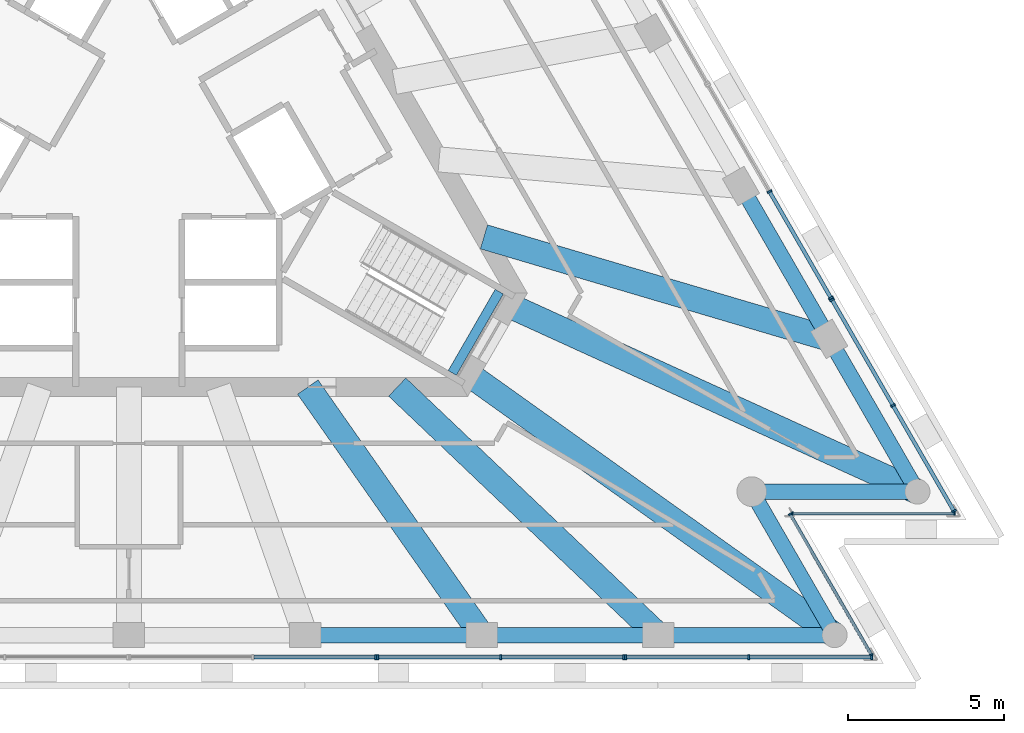
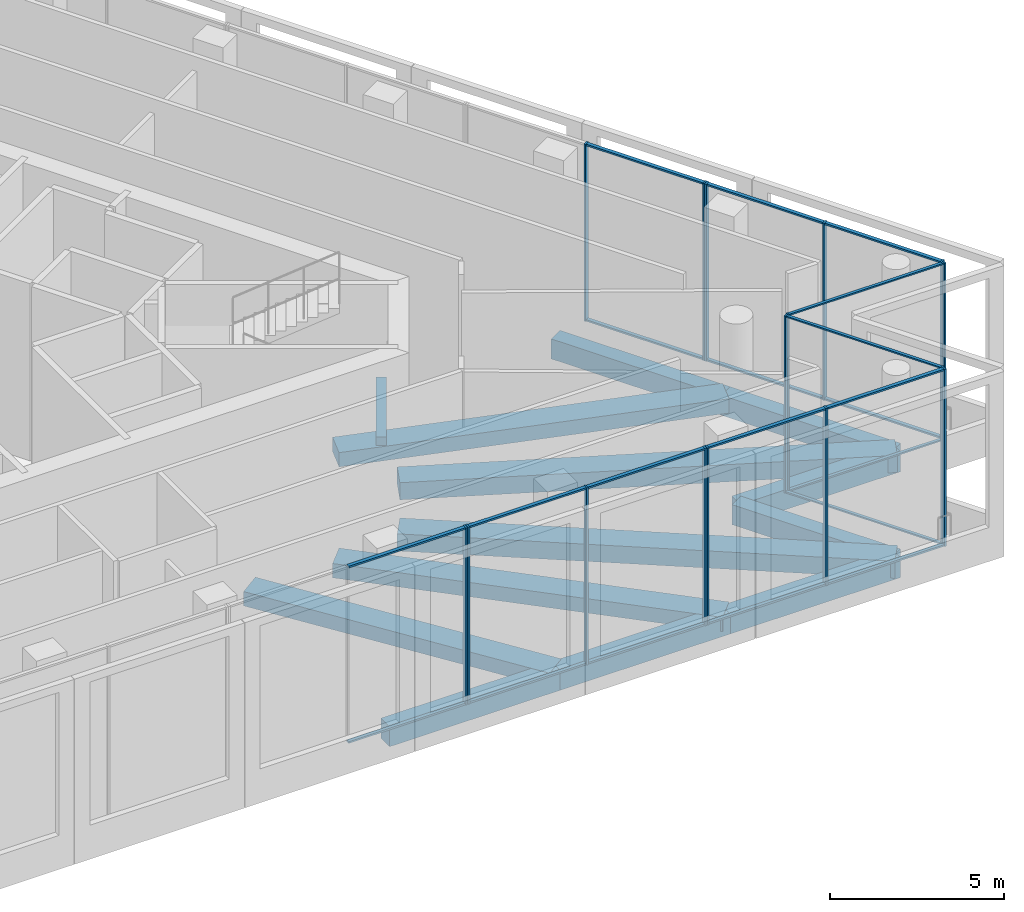
# One storey, part 5 of 16: 36 members, 13 beams, 7 elements without a shape of their own.
"""IFC4 building model written with IfcOpenShell, lengths in metres."""

from ifc_helpers import new_model, si_unit, direction, frame, origin, origin_2d, place, context, subcontext, project, spatial, rectangle, extrude, material, layer, layer_set, material_profile, profile_set, type_object, element, aggregate, save


model = new_model("IFC4")

# Units and contexts
model_context = context("Model", 3, precision=1e-05, world=origin(), true_north=direction((0.0, 1.0)))
body_context = subcontext(model_context, "Body", "Model", "MODEL_VIEW")
ifc_project = project(units=[si_unit("LENGTHUNIT", "METRE"), si_unit("AREAUNIT", "SQUARE_METRE"), si_unit("VOLUMEUNIT", "CUBIC_METRE"), si_unit("PLANEANGLEUNIT", "RADIAN"), si_unit("MASSUNIT", "GRAM", prefix="KILO")], contexts=[model_context])

# Site, building, storey
site_placement = place(None, origin())
site = spatial("IfcSite", under=ifc_project, at=site_placement, CompositionType="ELEMENT")
building_placement = place(site_placement, origin())
building = spatial("IfcBuilding", under=site, at=building_placement, Name="Triada Interchange Tower", CompositionType="ELEMENT")
storey_placement = place(building_placement, frame((0.0, 0.0, 261.800048828125)))
storey = spatial("IfcBuildingStorey", under=building, at=storey_placement, Name="L61", CompositionType="ELEMENT", Elevation=261.800048828125)

# Beam
ifc_material_1 = material(Name="Concrete C35/45", Category="concrete")
ifc_material_profile_1 = material_profile(ifc_material_1, rectangle(XDim=0.300048828125, YDim=0.300048828125, at=origin_2d()), Name="RC 300x300")
ifc_profile_set_1 = profile_set([ifc_material_profile_1], Name="Concrete C35/45")
beam_type_1 = type_object("IfcBeamType", Name="Landing support beam RC 300x300", PredefinedType="BEAM", material=ifc_profile_set_1)
beam_1_placement = place(storey_placement, frame((10.3349609375, -7.698974609375, 2.82080078125), z_axis=(0.50002537861, 0.866010750942, 0.0), x_axis=(-0.866010750942, 0.50002537861, 0.0)))
element("IfcBeam", 1, at=beam_1_placement, inside=storey, type_object=beam_type_1, Name="Landing support beam S61-3 1", PredefinedType="BEAM", context=body_context, shape_type="SweptSolid", body=[
    extrude(rectangle(XDim=0.300048828125, YDim=0.300048828125, at=origin_2d()), origin(), (0.0, 0.0, 1.0), 2.999755859375),
])

# Curtain wall, member
ifc_material_2 = material(Name="Aluminium framed glazing", Category="aluminium")
ifc_layer_1 = layer(ifc_material_2, 0.199951171875)
ifc_layer_set_1 = layer_set([ifc_layer_1], Name="Curtain wall Sky lobby glazing")
curtain_wall_type_1 = type_object("IfcCurtainWallType", Name="Curtain wall Sky lobby glazing", PredefinedType="NOTDEFINED", material=ifc_layer_set_1)
curtain_wall_1_placement = place(storey_placement, origin())
curtain_wall_1 = element("IfcCurtainWall", 2, at=curtain_wall_1_placement, inside=storey, type_object=curtain_wall_type_1, Name="Sky lobby glazing CW212 L61", PredefinedType="NOTDEFINED")
ifc_material_3 = material(Name="Aluminium", Category="aluminium")
ifc_material_profile_2 = material_profile(ifc_material_3, rectangle(XDim=0.159912109375, YDim=0.06005859375, at=origin_2d()), Name="Aluminium mullion")
ifc_profile_set_2 = profile_set([ifc_material_profile_2], Name="Aluminium")
member_type_1 = type_object("IfcMemberType", Name="Mullion Sky lobby glazing 160x60", PredefinedType="MULLION", material=ifc_profile_set_2)
member_1_placement = place(storey_placement, frame((7.886962890625, -16.77587890625, 0.0), z_axis=(0.0, 0.0, 1.0), x_axis=(0.0, 1.0, 0.0)))
member_1 = element("IfcMember", 3, at=member_1_placement, type_object=member_type_1, Name="CW212 mullion 3", PredefinedType="MULLION", context=body_context, shape_type="SweptSolid", body=[
    extrude(rectangle(XDim=0.159912109375, YDim=0.06005859375, at=origin_2d()), origin(), (0.0, 0.0, 1.0), 6.199951171875),
])

# Curtain wall, members
curtain_wall_2_placement = place(storey_placement, origin())
curtain_wall_2 = element("IfcCurtainWall", 4, at=curtain_wall_2_placement, inside=storey, type_object=curtain_wall_type_1, Name="Sky lobby glazing CW213 L61", PredefinedType="NOTDEFINED")
member_2_placement = place(storey_placement, frame((7.95703125, -16.77587890625, 0.0), z_axis=(0.0, 0.0, 1.0), x_axis=(0.0, 1.0, 0.0)))
member_2 = element("IfcMember", 5, at=member_2_placement, type_object=member_type_1, Name="CW213 mullion 1", PredefinedType="MULLION", context=body_context, shape_type="SweptSolid", body=[
    extrude(rectangle(XDim=0.159912109375, YDim=0.06005859375, at=origin_2d()), origin(), (0.0, 0.0, 1.0), 6.199951171875),
])
member_3_placement = place(storey_placement, frame((11.882568359375, -16.77587890625, 0.0), z_axis=(0.0, 0.0, 1.0), x_axis=(0.0, 1.0, 0.0)))
member_3 = element("IfcMember", 6, at=member_3_placement, type_object=member_type_1, Name="CW213 mullion 2", PredefinedType="MULLION", context=body_context, shape_type="SweptSolid", body=[
    extrude(rectangle(XDim=0.159912109375, YDim=0.06005859375, at=origin_2d()), origin(), (0.0, 0.0, 1.0), 6.199951171875),
])
member_4_placement = place(storey_placement, frame((15.80810546875, -16.77587890625, 0.0), z_axis=(0.0, 0.0, 1.0), x_axis=(0.0, 1.0, 0.0)))
member_4 = element("IfcMember", 7, at=member_4_placement, type_object=member_type_1, Name="CW213 mullion 3", PredefinedType="MULLION", context=body_context, shape_type="SweptSolid", body=[
    extrude(rectangle(XDim=0.159912109375, YDim=0.06005859375, at=origin_2d()), origin(), (0.0, 0.0, 1.0), 6.199951171875),
])

curtain_wall_3_placement = place(storey_placement, origin())
curtain_wall_3 = element("IfcCurtainWall", 8, at=curtain_wall_3_placement, inside=storey, type_object=curtain_wall_type_1, Name="Sky lobby glazing CW214 L61", PredefinedType="NOTDEFINED")
member_5_placement = place(storey_placement, frame((15.8779296875, -16.77587890625, 0.0), z_axis=(0.0, 0.0, 1.0), x_axis=(0.0, 1.0, 0.0)))
member_5 = element("IfcMember", 9, at=member_5_placement, type_object=member_type_1, Name="CW214 mullion 1", PredefinedType="MULLION", context=body_context, shape_type="SweptSolid", body=[
    extrude(rectangle(XDim=0.159912109375, YDim=0.06005859375, at=origin_2d()), origin(), (0.0, 0.0, 1.0), 6.199951171875),
])
member_6_placement = place(storey_placement, frame((19.806396484375, -16.77587890625, 0.0), z_axis=(0.0, 0.0, 1.0), x_axis=(0.0, 1.0, 0.0)))
member_6 = element("IfcMember", 10, at=member_6_placement, type_object=member_type_1, Name="CW214 mullion 2", PredefinedType="MULLION", context=body_context, shape_type="SweptSolid", body=[
    extrude(rectangle(XDim=0.159912109375, YDim=0.06005859375, at=origin_2d()), origin(), (0.0, 0.0, 1.0), 6.199951171875),
])
member_7_placement = place(storey_placement, frame((23.735107421875, -16.77587890625, 0.0), z_axis=(0.0, 0.0, 1.0), x_axis=(0.0, 1.0, 0.0)))
member_7 = element("IfcMember", 11, at=member_7_placement, type_object=member_type_1, Name="CW214 mullion 3", PredefinedType="MULLION", context=body_context, shape_type="SweptSolid", body=[
    extrude(rectangle(XDim=0.159912109375, YDim=0.06005859375, at=origin_2d()), origin(), (0.0, 0.0, 1.0), 6.199951171875),
])

curtain_wall_4_placement = place(storey_placement, origin())
curtain_wall_4 = element("IfcCurtainWall", 12, at=curtain_wall_4_placement, inside=storey, type_object=curtain_wall_type_1, Name="Sky lobby glazing CW217 L61", PredefinedType="NOTDEFINED")
member_8_placement = place(storey_placement, frame((26.365966796875, -12.114013671875, 0.0), z_axis=(0.0, 0.0, 1.0), x_axis=(-0.866041454756, -0.499972197871, 0.0)))
member_8 = element("IfcMember", 13, at=member_8_placement, type_object=member_type_1, Name="CW217 mullion 1", PredefinedType="MULLION", context=body_context, shape_type="SweptSolid", body=[
    extrude(rectangle(XDim=0.159912109375, YDim=0.06005859375, at=origin_2d()), origin(), (0.0, 0.0, 1.0), 6.199951171875),
])
member_9_placement = place(storey_placement, frame((24.4169921875, -8.738037109375, 0.0), z_axis=(0.0, 0.0, 1.0), x_axis=(-0.866041454756, -0.499972197871, 0.0)))
member_9 = element("IfcMember", 14, at=member_9_placement, type_object=member_type_1, Name="CW217 mullion 2", PredefinedType="MULLION", context=body_context, shape_type="SweptSolid", body=[
    extrude(rectangle(XDim=0.159912109375, YDim=0.06005859375, at=origin_2d()), origin(), (0.0, 0.0, 1.0), 6.199951171875),
])
member_10_placement = place(storey_placement, frame((22.468017578125, -5.362060546875, 0.0), z_axis=(0.0, 0.0, 1.0), x_axis=(-0.866041454756, -0.499972197871, 0.0)))
member_10 = element("IfcMember", 15, at=member_10_placement, type_object=member_type_1, Name="CW217 mullion 3", PredefinedType="MULLION", context=body_context, shape_type="SweptSolid", body=[
    extrude(rectangle(XDim=0.159912109375, YDim=0.06005859375, at=origin_2d()), origin(), (0.0, 0.0, 1.0), 6.199951171875),
])

curtain_wall_5_placement = place(storey_placement, origin())
curtain_wall_5 = element("IfcCurtainWall", 16, at=curtain_wall_5_placement, inside=storey, type_object=curtain_wall_type_1, Name="Sky lobby glazing CW218 L61", PredefinedType="NOTDEFINED")
member_11_placement = place(storey_placement, frame((22.43310546875, -5.302001953125, 0.0), z_axis=(0.0, 0.0, 1.0), x_axis=(-0.866025625136, -0.499999616608, 0.0)))
member_11 = element("IfcMember", 17, at=member_11_placement, type_object=member_type_1, Name="CW218 mullion 1", PredefinedType="MULLION", context=body_context, shape_type="SweptSolid", body=[
    extrude(rectangle(XDim=0.159912109375, YDim=0.06005859375, at=origin_2d()), origin(), (0.0, 0.0, 1.0), 6.199951171875),
])
member_12_placement = place(storey_placement, frame((20.469970703125, -1.902099609375, 0.0), z_axis=(0.0, 0.0, 1.0), x_axis=(-0.866025625136, -0.499999616608, 0.0)))
member_12 = element("IfcMember", 18, at=member_12_placement, type_object=member_type_1, Name="CW218 mullion 2", PredefinedType="MULLION", context=body_context, shape_type="SweptSolid", body=[
    extrude(rectangle(XDim=0.159912109375, YDim=0.06005859375, at=origin_2d()), origin(), (0.0, 0.0, 1.0), 6.199951171875),
])

ifc_layer_2 = layer(ifc_material_2, 0.199951171875)
ifc_layer_set_2 = layer_set([ifc_layer_2], Name="Curtain wall Winter garden glazing")
curtain_wall_type_2 = type_object("IfcCurtainWallType", Name="Curtain wall Winter garden glazing", PredefinedType="NOTDEFINED", material=ifc_layer_set_2)
curtain_wall_6_placement = place(storey_placement, origin())
curtain_wall_6 = element("IfcCurtainWall", 19, at=curtain_wall_6_placement, inside=storey, type_object=curtain_wall_type_2, Name="Winter garden glazing CW215 L61", PredefinedType="NOTDEFINED")
ifc_material_profile_3 = material_profile(ifc_material_3, rectangle(XDim=0.1201171875, YDim=0.050048828125, at=origin_2d()), Name="Aluminium mullion")
ifc_profile_set_3 = profile_set([ifc_material_profile_3], Name="Aluminium")
member_type_2 = type_object("IfcMemberType", Name="Mullion Winter garden glazing 120x50", PredefinedType="MULLION", material=ifc_profile_set_3)
member_13_placement = place(storey_placement, frame((23.722412109375, -16.702392578125, 0.0), z_axis=(0.0, 0.0, 1.0), x_axis=(-0.86598828527, -0.500064285642, 0.0)))
member_13 = element("IfcMember", 20, at=member_13_placement, type_object=member_type_2, Name="CW215 mullion 1", PredefinedType="MULLION", context=body_context, shape_type="SweptSolid", body=[
    extrude(rectangle(XDim=0.1201171875, YDim=0.050048828125, at=origin_2d()), origin(), (0.0, 0.0, 1.0), 6.199951171875),
])
member_14_placement = place(storey_placement, frame((21.130615234375, -12.213623046875, 0.0), z_axis=(0.0, 0.0, 1.0), x_axis=(-0.86598828527, -0.500064285642, 0.0)))
member_14 = element("IfcMember", 21, at=member_14_placement, type_object=member_type_2, Name="CW215 mullion 2", PredefinedType="MULLION", context=body_context, shape_type="SweptSolid", body=[
    extrude(rectangle(XDim=0.1201171875, YDim=0.050048828125, at=origin_2d()), origin(), (0.0, 0.0, 1.0), 6.199951171875),
])

curtain_wall_7_placement = place(storey_placement, origin())
curtain_wall_7 = element("IfcCurtainWall", 22, at=curtain_wall_7_placement, inside=storey, type_object=curtain_wall_type_2, Name="Winter garden glazing CW216 L61", PredefinedType="NOTDEFINED")
member_15_placement = place(storey_placement, frame((21.202880859375, -12.19189453125, 0.0), z_axis=(0.0, 0.0, 1.0), x_axis=(0.0, 1.0, 0.0)))
member_15 = element("IfcMember", 23, at=member_15_placement, type_object=member_type_2, Name="CW216 mullion 1", PredefinedType="MULLION", context=body_context, shape_type="SweptSolid", body=[
    extrude(rectangle(XDim=0.1201171875, YDim=0.050048828125, at=origin_2d()), origin(), (0.0, 0.0, 1.0), 6.199951171875),
])
member_16_placement = place(storey_placement, frame((26.385986328125, -12.19189453125, 0.0), z_axis=(0.0, 0.0, 1.0), x_axis=(0.0, 1.0, 0.0)))
member_16 = element("IfcMember", 24, at=member_16_placement, type_object=member_type_2, Name="CW216 mullion 2", PredefinedType="MULLION", context=body_context, shape_type="SweptSolid", body=[
    extrude(rectangle(XDim=0.1201171875, YDim=0.050048828125, at=origin_2d()), origin(), (0.0, 0.0, 1.0), 6.199951171875),
])

# Beams
ifc_material_4 = material(Name="Concrete C50/60", Category="concrete")
ifc_material_profile_4 = material_profile(ifc_material_4, rectangle(XDim=0.800048828125, YDim=0.5, at=origin_2d()), Name="RC 800x500")
ifc_profile_set_4 = profile_set([ifc_material_profile_4], Name="Concrete C50/60")
beam_type_2 = type_object("IfcBeamType", Name="Radial band beam D RC 800x500", PredefinedType="BEAM", material=ifc_profile_set_4)
beam_2_placement = place(storey_placement, frame((11.27587890625, -16.075927734375, -0.550048828125), z_axis=(-0.574198355438, 0.81871621983, 0.0), x_axis=(-0.81871621983, -0.574198355438, 0.0)))
element("IfcBeam", 25, at=beam_2_placement, inside=storey, type_object=beam_type_2, Name="Radial band beam BD17 L61", PredefinedType="BEAM", context=body_context, shape_type="SweptSolid", body=[
    extrude(rectangle(XDim=0.800048828125, YDim=0.5, at=origin_2d()), origin(), (0.0, 0.0, 1.0), 9.68115234375),
])
beam_3_placement = place(storey_placement, frame((16.9140625, -16.075927734375, -0.550048828125), z_axis=(-0.724831459907, 0.688926233155, 0.0), x_axis=(-0.688926233155, -0.724831459907, 0.0)))
element("IfcBeam", 26, at=beam_3_placement, inside=storey, type_object=beam_type_2, Name="Radial band beam BD18 L61", PredefinedType="BEAM", context=body_context, shape_type="SweptSolid", body=[
    extrude(rectangle(XDim=0.800048828125, YDim=0.5, at=origin_2d()), origin(), (0.0, 0.0, 1.0), 11.5048828125),
])
beam_4_placement = place(storey_placement, frame((22.37890625, -6.610107421875, -0.550048828125), z_axis=(-0.959041162781, 0.28326674371, 0.0), x_axis=(-0.28326674371, -0.959041162781, 0.0)))
element("IfcBeam", 27, at=beam_4_placement, inside=storey, type_object=beam_type_2, Name="Radial band beam BD22 L61", PredefinedType="BEAM", context=body_context, shape_type="SweptSolid", body=[
    extrude(rectangle(XDim=0.800048828125, YDim=0.5, at=origin_2d()), origin(), (0.0, 0.0, 1.0), 11.505126953125),
])
ifc_material_profile_5 = material_profile(ifc_material_4, rectangle(XDim=0.800048828125, YDim=0.60009765625, at=origin_2d()), Name="RC 800x600")
ifc_profile_set_5 = profile_set([ifc_material_profile_5], Name="Concrete C50/60")
beam_type_3 = type_object("IfcBeamType", Name="Radial band beam D RC 800x600", PredefinedType="BEAM", material=ifc_profile_set_5)
beam_5_placement = place(storey_placement, frame((22.552001953125, -16.075927734375, -0.60009765625), z_axis=(-0.814307345877, 0.580433929444, 0.0), x_axis=(-0.580433929444, -0.814307345877, 0.0)))
element("IfcBeam", 28, at=beam_5_placement, inside=storey, type_object=beam_type_3, Name="Radial band beam BD19 L61", PredefinedType="BEAM", context=body_context, shape_type="SweptSolid", body=[
    extrude(rectangle(XDim=0.800048828125, YDim=0.60009765625, at=origin_2d()), origin(), (0.0, 0.0, 1.0), 14.333740234375),
])
beam_6_placement = place(storey_placement, frame((25.197998046875, -11.491943359375, -0.60009765625), z_axis=(-0.909844882968, 0.414948537697, 0.0), x_axis=(-0.414948537697, -0.909844882968, 0.0)))
element("IfcBeam", 29, at=beam_6_placement, inside=storey, type_object=beam_type_3, Name="Radial band beam BD21 L61", PredefinedType="BEAM", context=body_context, shape_type="SweptSolid", body=[
    extrude(rectangle(XDim=0.800048828125, YDim=0.60009765625, at=origin_2d()), origin(), (0.0, 0.0, 1.0), 14.334228515625),
])
ifc_material_profile_6 = material_profile(ifc_material_4, rectangle(XDim=0.5, YDim=0.699951171875, at=origin_2d()), Name="RC 500x700")
ifc_profile_set_6 = profile_set([ifc_material_profile_6], Name="Concrete C50/60")
beam_type_4 = type_object("IfcBeamType", Name="Spandrel beam D RC 500x700", PredefinedType="BEAM", material=ifc_profile_set_6)
beam_7_placement = place(storey_placement, frame((5.637939453125, -16.075927734375, -0.650146484375), z_axis=(1.0, 0.0, 0.0), x_axis=(0.0, 1.0, 0.0)))
element("IfcBeam", 30, at=beam_7_placement, inside=storey, type_object=beam_type_4, Name="Spandrel beam ED16 L61", PredefinedType="BEAM", context=body_context, shape_type="SweptSolid", body=[
    extrude(rectangle(XDim=0.5, YDim=0.699951171875, at=origin_2d()), origin(), (0.0, 0.0, 1.0), 5.637939453125),
])
beam_8_placement = place(storey_placement, frame((11.27587890625, -16.075927734375, -0.650146484375), z_axis=(1.0, 0.0, 0.0), x_axis=(0.0, 1.0, 0.0)))
element("IfcBeam", 31, at=beam_8_placement, inside=storey, type_object=beam_type_4, Name="Spandrel beam ED17 L61", PredefinedType="BEAM", context=body_context, shape_type="SweptSolid", body=[
    extrude(rectangle(XDim=0.5, YDim=0.699951171875, at=origin_2d()), origin(), (0.0, 0.0, 1.0), 5.63818359375),
])
beam_9_placement = place(storey_placement, frame((16.9140625, -16.075927734375, -0.650146484375), z_axis=(1.0, 0.0, 0.0), x_axis=(0.0, 1.0, 0.0)))
element("IfcBeam", 32, at=beam_9_placement, inside=storey, type_object=beam_type_4, Name="Spandrel beam ED18 L61", PredefinedType="BEAM", context=body_context, shape_type="SweptSolid", body=[
    extrude(rectangle(XDim=0.5, YDim=0.699951171875, at=origin_2d()), origin(), (0.0, 0.0, 1.0), 5.637939453125),
])
beam_10_placement = place(storey_placement, frame((22.552001953125, -16.075927734375, -0.650146484375), z_axis=(-0.500057813598, 0.865992022515, 0.0), x_axis=(-0.865992022515, -0.500057813598, 0.0)))
element("IfcBeam", 33, at=beam_10_placement, inside=storey, type_object=beam_type_4, Name="Spandrel beam ED19 L61", PredefinedType="BEAM", context=body_context, shape_type="SweptSolid", body=[
    extrude(rectangle(XDim=0.5, YDim=0.699951171875, at=origin_2d()), origin(), (0.0, 0.0, 1.0), 5.293212890625),
])
beam_11_placement = place(storey_placement, frame((19.905029296875, -11.491943359375, -0.650146484375), z_axis=(1.0, 0.0, 0.0), x_axis=(0.0, 1.0, 0.0)))
element("IfcBeam", 34, at=beam_11_placement, inside=storey, type_object=beam_type_4, Name="Spandrel beam ED20 L61", PredefinedType="BEAM", context=body_context, shape_type="SweptSolid", body=[
    extrude(rectangle(XDim=0.5, YDim=0.699951171875, at=origin_2d()), origin(), (0.0, 0.0, 1.0), 5.29296875),
])
beam_12_placement = place(storey_placement, frame((25.197998046875, -11.491943359375, -0.650146484375), z_axis=(-0.500074834523, 0.865982193741, 0.0), x_axis=(-0.865982193741, -0.500074834523, 0.0)))
element("IfcBeam", 35, at=beam_12_placement, inside=storey, type_object=beam_type_4, Name="Spandrel beam ED21 L61", PredefinedType="BEAM", context=body_context, shape_type="SweptSolid", body=[
    extrude(rectangle(XDim=0.5, YDim=0.699951171875, at=origin_2d()), origin(), (0.0, 0.0, 1.0), 5.637451171875),
])
beam_13_placement = place(storey_placement, frame((22.37890625, -6.610107421875, -0.650146484375), z_axis=(-0.499948599132, 0.866055078056, 0.0), x_axis=(-0.866055078056, -0.499948599132, 0.0)))
element("IfcBeam", 36, at=beam_13_placement, inside=storey, type_object=beam_type_4, Name="Spandrel beam ED22 L61", PredefinedType="BEAM", context=body_context, shape_type="SweptSolid", body=[
    extrude(rectangle(XDim=0.5, YDim=0.699951171875, at=origin_2d()), origin(), (0.0, 0.0, 1.0), 5.63818359375),
])

# Member
ifc_material_profile_7 = material_profile(ifc_material_3, rectangle(XDim=0.1201171875, YDim=0.06005859375, at=origin_2d()), Name="Aluminium transom")
ifc_profile_set_7 = profile_set([ifc_material_profile_7], Name="Aluminium")
member_type_3 = type_object("IfcMemberType", Name="Transom Sky lobby glazing 120x60", PredefinedType="USERDEFINED", material=ifc_profile_set_7)
member_17_placement = place(storey_placement, frame((3.990966796875, -16.77587890625, 0.030029296875), z_axis=(1.0, 0.0, 0.0), x_axis=(0.0, 1.0, 0.0)))
member_17 = element("IfcMember", 37, at=member_17_placement, type_object=member_type_3, Name="CW212 transom 2.1", ObjectType="TRANSOM", PredefinedType="USERDEFINED", context=body_context, shape_type="SweptSolid", body=[
    extrude(rectangle(XDim=0.1201171875, YDim=0.06005859375, at=origin_2d()), origin(), (0.0, 0.0, 1.0), 3.865966796875),
])

member_18_placement = place(storey_placement, frame((3.990966796875, -16.77587890625, 6.169921875), z_axis=(1.0, 0.0, 0.0), x_axis=(0.0, 1.0, 0.0)))
member_18 = element("IfcMember", 38, at=member_18_placement, type_object=member_type_3, Name="CW212 transom 2.2", ObjectType="TRANSOM", PredefinedType="USERDEFINED", context=body_context, shape_type="SweptSolid", body=[
    extrude(rectangle(XDim=0.1201171875, YDim=0.06005859375, at=origin_2d()), origin(), (0.0, 0.0, 1.0), 3.865966796875),
])

aggregate(curtain_wall_1, [member_1, member_17, member_18])

member_19_placement = place(storey_placement, frame((7.987060546875, -16.77587890625, 0.030029296875), z_axis=(1.0, 0.0, 0.0), x_axis=(0.0, 1.0, 0.0)))
member_19 = element("IfcMember", 39, at=member_19_placement, type_object=member_type_3, Name="CW213 transom 1.1", ObjectType="TRANSOM", PredefinedType="USERDEFINED", context=body_context, shape_type="SweptSolid", body=[
    extrude(rectangle(XDim=0.1201171875, YDim=0.06005859375, at=origin_2d()), origin(), (0.0, 0.0, 1.0), 3.865478515625),
])

member_20_placement = place(storey_placement, frame((7.987060546875, -16.77587890625, 6.169921875), z_axis=(1.0, 0.0, 0.0), x_axis=(0.0, 1.0, 0.0)))
member_20 = element("IfcMember", 40, at=member_20_placement, type_object=member_type_3, Name="CW213 transom 1.2", ObjectType="TRANSOM", PredefinedType="USERDEFINED", context=body_context, shape_type="SweptSolid", body=[
    extrude(rectangle(XDim=0.1201171875, YDim=0.06005859375, at=origin_2d()), origin(), (0.0, 0.0, 1.0), 3.865478515625),
])

member_21_placement = place(storey_placement, frame((11.91259765625, -16.77587890625, 0.030029296875), z_axis=(1.0, 0.0, 0.0), x_axis=(0.0, 1.0, 0.0)))
member_21 = element("IfcMember", 41, at=member_21_placement, type_object=member_type_3, Name="CW213 transom 2.1", ObjectType="TRANSOM", PredefinedType="USERDEFINED", context=body_context, shape_type="SweptSolid", body=[
    extrude(rectangle(XDim=0.1201171875, YDim=0.06005859375, at=origin_2d()), origin(), (0.0, 0.0, 1.0), 3.865478515625),
])

member_22_placement = place(storey_placement, frame((11.91259765625, -16.77587890625, 6.169921875), z_axis=(1.0, 0.0, 0.0), x_axis=(0.0, 1.0, 0.0)))
member_22 = element("IfcMember", 42, at=member_22_placement, type_object=member_type_3, Name="CW213 transom 2.2", ObjectType="TRANSOM", PredefinedType="USERDEFINED", context=body_context, shape_type="SweptSolid", body=[
    extrude(rectangle(XDim=0.1201171875, YDim=0.06005859375, at=origin_2d()), origin(), (0.0, 0.0, 1.0), 3.865478515625),
])

aggregate(curtain_wall_2, [member_2, member_3, member_4, member_19, member_20, member_21, member_22])

member_23_placement = place(storey_placement, frame((15.907958984375, -16.77587890625, 0.030029296875), z_axis=(1.0, 0.0, 0.0), x_axis=(0.0, 1.0, 0.0)))
member_23 = element("IfcMember", 43, at=member_23_placement, type_object=member_type_3, Name="CW214 transom 1.1", ObjectType="TRANSOM", PredefinedType="USERDEFINED", context=body_context, shape_type="SweptSolid", body=[
    extrude(rectangle(XDim=0.1201171875, YDim=0.06005859375, at=origin_2d()), origin(), (0.0, 0.0, 1.0), 3.86865234375),
])

member_24_placement = place(storey_placement, frame((15.907958984375, -16.77587890625, 6.169921875), z_axis=(1.0, 0.0, 0.0), x_axis=(0.0, 1.0, 0.0)))
member_24 = element("IfcMember", 44, at=member_24_placement, type_object=member_type_3, Name="CW214 transom 1.2", ObjectType="TRANSOM", PredefinedType="USERDEFINED", context=body_context, shape_type="SweptSolid", body=[
    extrude(rectangle(XDim=0.1201171875, YDim=0.06005859375, at=origin_2d()), origin(), (0.0, 0.0, 1.0), 3.86865234375),
])

member_25_placement = place(storey_placement, frame((19.83642578125, -16.77587890625, 0.030029296875), z_axis=(1.0, 0.0, 0.0), x_axis=(0.0, 1.0, 0.0)))
member_25 = element("IfcMember", 45, at=member_25_placement, type_object=member_type_3, Name="CW214 transom 2.1", ObjectType="TRANSOM", PredefinedType="USERDEFINED", context=body_context, shape_type="SweptSolid", body=[
    extrude(rectangle(XDim=0.1201171875, YDim=0.06005859375, at=origin_2d()), origin(), (0.0, 0.0, 1.0), 3.86865234375),
])

member_26_placement = place(storey_placement, frame((19.83642578125, -16.77587890625, 6.169921875), z_axis=(1.0, 0.0, 0.0), x_axis=(0.0, 1.0, 0.0)))
member_26 = element("IfcMember", 46, at=member_26_placement, type_object=member_type_3, Name="CW214 transom 2.2", ObjectType="TRANSOM", PredefinedType="USERDEFINED", context=body_context, shape_type="SweptSolid", body=[
    extrude(rectangle(XDim=0.1201171875, YDim=0.06005859375, at=origin_2d()), origin(), (0.0, 0.0, 1.0), 3.86865234375),
])

aggregate(curtain_wall_3, [member_5, member_6, member_7, member_23, member_24, member_25, member_26])

member_27_placement = place(storey_placement, frame((26.35107421875, -12.088134765625, 0.030029296875), z_axis=(-0.499990399024, 0.86603094684, 0.0), x_axis=(-0.86603094684, -0.499990399024, 0.0)))
member_27 = element("IfcMember", 47, at=member_27_placement, type_object=member_type_3, Name="CW217 transom 1.1", ObjectType="TRANSOM", PredefinedType="USERDEFINED", context=body_context, shape_type="SweptSolid", body=[
    extrude(rectangle(XDim=0.1201171875, YDim=0.06005859375, at=origin_2d()), origin(), (0.0, 0.0, 1.0), 3.83837890625),
])

member_28_placement = place(storey_placement, frame((26.35107421875, -12.088134765625, 6.169921875), z_axis=(-0.499990399024, 0.86603094684, 0.0), x_axis=(-0.86603094684, -0.499990399024, 0.0)))
member_28 = element("IfcMember", 48, at=member_28_placement, type_object=member_type_3, Name="CW217 transom 1.2", ObjectType="TRANSOM", PredefinedType="USERDEFINED", context=body_context, shape_type="SweptSolid", body=[
    extrude(rectangle(XDim=0.1201171875, YDim=0.06005859375, at=origin_2d()), origin(), (0.0, 0.0, 1.0), 3.83837890625),
])

member_29_placement = place(storey_placement, frame((24.402099609375, -8.7119140625, 0.030029296875), z_axis=(-0.50001794124, 0.866015045157, 0.0), x_axis=(-0.866015045157, -0.50001794124, 0.0)))
member_29 = element("IfcMember", 49, at=member_29_placement, type_object=member_type_3, Name="CW217 transom 2.1", ObjectType="TRANSOM", PredefinedType="USERDEFINED", context=body_context, shape_type="SweptSolid", body=[
    extrude(rectangle(XDim=0.1201171875, YDim=0.06005859375, at=origin_2d()), origin(), (0.0, 0.0, 1.0), 3.838134765625),
])

member_30_placement = place(storey_placement, frame((24.402099609375, -8.7119140625, 6.169921875), z_axis=(-0.50001794124, 0.866015045157, 0.0), x_axis=(-0.866015045157, -0.50001794124, 0.0)))
member_30 = element("IfcMember", 50, at=member_30_placement, type_object=member_type_3, Name="CW217 transom 2.2", ObjectType="TRANSOM", PredefinedType="USERDEFINED", context=body_context, shape_type="SweptSolid", body=[
    extrude(rectangle(XDim=0.1201171875, YDim=0.06005859375, at=origin_2d()), origin(), (0.0, 0.0, 1.0), 3.838134765625),
])

aggregate(curtain_wall_4, [member_8, member_9, member_10, member_27, member_28, member_29, member_30])

member_31_placement = place(storey_placement, frame((22.41796875, -5.276123046875, 0.030029296875), z_axis=(-0.49996298108, 0.866046775613, 0.0), x_axis=(-0.866046775613, -0.49996298108, 0.0)))
member_31 = element("IfcMember", 51, at=member_31_placement, type_object=member_type_3, Name="CW218 transom 1.1", ObjectType="TRANSOM", PredefinedType="USERDEFINED", context=body_context, shape_type="SweptSolid", body=[
    extrude(rectangle(XDim=0.1201171875, YDim=0.06005859375, at=origin_2d()), origin(), (0.0, 0.0, 1.0), 3.865966796875),
])

member_32_placement = place(storey_placement, frame((22.41796875, -5.276123046875, 6.169921875), z_axis=(-0.49996298108, 0.866046775613, 0.0), x_axis=(-0.866046775613, -0.49996298108, 0.0)))
member_32 = element("IfcMember", 52, at=member_32_placement, type_object=member_type_3, Name="CW218 transom 1.2", ObjectType="TRANSOM", PredefinedType="USERDEFINED", context=body_context, shape_type="SweptSolid", body=[
    extrude(rectangle(XDim=0.1201171875, YDim=0.06005859375, at=origin_2d()), origin(), (0.0, 0.0, 1.0), 3.865966796875),
])

aggregate(curtain_wall_5, [member_11, member_12, member_31, member_32])

ifc_material_profile_8 = material_profile(ifc_material_3, rectangle(XDim=0.10009765625, YDim=0.050048828125, at=origin_2d()), Name="Aluminium transom")
ifc_profile_set_8 = profile_set([ifc_material_profile_8], Name="Aluminium")
member_type_4 = type_object("IfcMemberType", Name="Transom Winter garden glazing 100x50", PredefinedType="USERDEFINED", material=ifc_profile_set_8)
member_33_placement = place(storey_placement, frame((23.7099609375, -16.6806640625, 0.02490234375), z_axis=(-0.500057296889, 0.865992320883, 0.0), x_axis=(-0.865992320883, -0.500057296889, 0.0)))
member_33 = element("IfcMember", 53, at=member_33_placement, type_object=member_type_4, Name="CW215 transom 1.1", ObjectType="TRANSOM", PredefinedType="USERDEFINED", context=body_context, shape_type="SweptSolid", body=[
    extrude(rectangle(XDim=0.10009765625, YDim=0.050048828125, at=origin_2d()), origin(), (0.0, 0.0, 1.0), 5.13330078125),
])

member_34_placement = place(storey_placement, frame((23.7099609375, -16.6806640625, 6.175048828125), z_axis=(-0.500057296889, 0.865992320883, 0.0), x_axis=(-0.865992320883, -0.500057296889, 0.0)))
member_34 = element("IfcMember", 54, at=member_34_placement, type_object=member_type_4, Name="CW215 transom 1.2", ObjectType="TRANSOM", PredefinedType="USERDEFINED", context=body_context, shape_type="SweptSolid", body=[
    extrude(rectangle(XDim=0.10009765625, YDim=0.050048828125, at=origin_2d()), origin(), (0.0, 0.0, 1.0), 5.13330078125),
])

aggregate(curtain_wall_6, [member_13, member_14, member_33, member_34])

member_35_placement = place(storey_placement, frame((21.22802734375, -12.19189453125, 0.02490234375), z_axis=(1.0, 0.0, 0.0), x_axis=(0.0, 1.0, 0.0)))
member_35 = element("IfcMember", 55, at=member_35_placement, type_object=member_type_4, Name="CW216 transom 1.1", ObjectType="TRANSOM", PredefinedType="USERDEFINED", context=body_context, shape_type="SweptSolid", body=[
    extrude(rectangle(XDim=0.10009765625, YDim=0.050048828125, at=origin_2d()), origin(), (0.0, 0.0, 1.0), 5.133056640625),
])

member_36_placement = place(storey_placement, frame((21.22802734375, -12.19189453125, 6.175048828125), z_axis=(1.0, 0.0, 0.0), x_axis=(0.0, 1.0, 0.0)))
member_36 = element("IfcMember", 56, at=member_36_placement, type_object=member_type_4, Name="CW216 transom 1.2", ObjectType="TRANSOM", PredefinedType="USERDEFINED", context=body_context, shape_type="SweptSolid", body=[
    extrude(rectangle(XDim=0.10009765625, YDim=0.050048828125, at=origin_2d()), origin(), (0.0, 0.0, 1.0), 5.133056640625),
])

aggregate(curtain_wall_7, [member_15, member_16, member_35, member_36])

save(model, "model.ifc")
